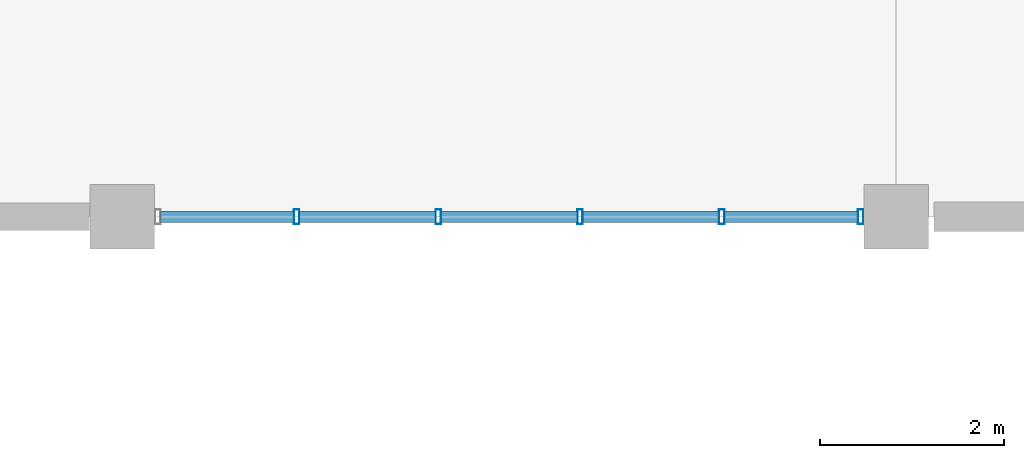
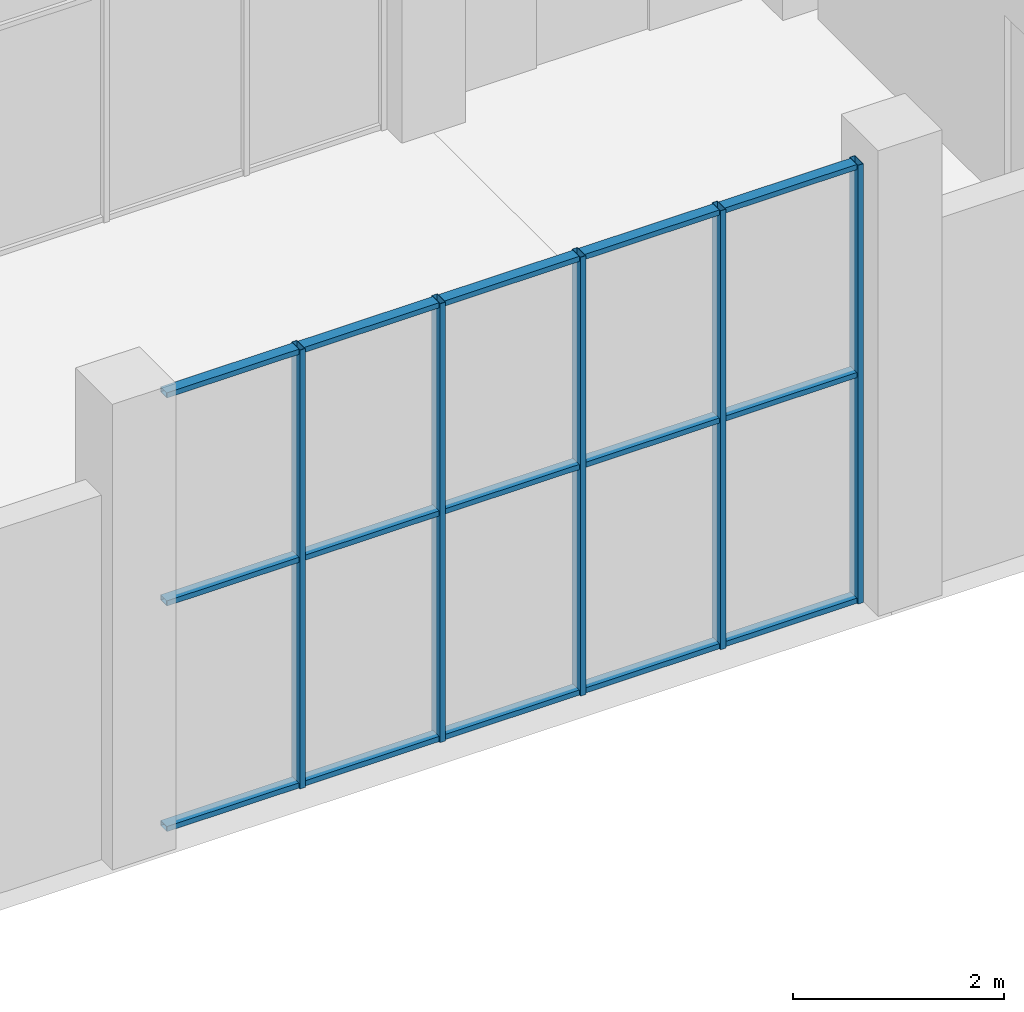
# One storey, part 27 of 91: 20 members, 1 element without a shape of its own.
"""IFC4 building model written with IfcOpenShell, lengths in metres."""

from ifc_helpers import new_model, si_unit, direction, frame, origin, origin_2d, place, context, subcontext, project, spatial, hollow_rectangle, extrude, material, material_profile, profile_set, type_object, element, aggregate, save


model = new_model("IFC4")

# Units and contexts
model_context = context("Model", 3, precision=1e-05, world=origin(), true_north=direction((0.0, 1.0)))
body_context = subcontext(model_context, "Body", "Model", "MODEL_VIEW")
ifc_project = project(units=[si_unit("LENGTHUNIT", "METRE"), si_unit("AREAUNIT", "SQUARE_METRE"), si_unit("VOLUMEUNIT", "CUBIC_METRE"), si_unit("PLANEANGLEUNIT", "RADIAN"), si_unit("MASSUNIT", "GRAM", prefix="KILO")], contexts=[model_context])

# Site, building, storey
site_placement = place(None, origin())
site = spatial("IfcSite", under=ifc_project, at=site_placement, CompositionType="ELEMENT")
building_placement = place(site_placement, origin())
building = spatial("IfcBuilding", under=site, at=building_placement, Name="Khurvash Pelagic Aquarium", CompositionType="ELEMENT")
storey_placement = place(building_placement, origin())
storey = spatial("IfcBuildingStorey", under=building, at=storey_placement, Name="L00", CompositionType="ELEMENT", Elevation=0.0)

# Curtain wall, members
ifc_material_1 = material(Name="Anodised aluminium and low-E laminated glass", Category="aluminium")
curtain_wall_type = type_object("IfcCurtainWallType", Name="CW-02", PredefinedType="USERDEFINED", material=ifc_material_1)
curtain_wall_placement = place(storey_placement, origin())
curtain_wall = element("IfcCurtainWall", 1, at=curtain_wall_placement, inside=storey, type_object=curtain_wall_type, Name="L00 Facade Unitised Curtain Wall CW-02 0060", ObjectType="UNITISED CURTAIN WALL", PredefinedType="USERDEFINED")
ifc_material_2 = material(Name="Extruded aluminium AW-6063-T6", Category="aluminium")
ifc_material_profile_1 = material_profile(ifc_material_2, hollow_rectangle(XDim=0.06005859375, YDim=0.159912109375, WallThickness=0.00390625, at=origin_2d()), Name="CWM60X160X4")
ifc_profile_set_1 = profile_set([ifc_material_profile_1], Name="Extruded aluminium AW-6063-T6")
member_type_1 = type_object("IfcMemberType", Name="CM-02", PredefinedType="MULLION", material=ifc_profile_set_1)
member_1_placement = place(storey_placement, frame((119.492919921875, 20.699951171875, 0.0), z_axis=(0.0, 0.0, 1.0), x_axis=(1.0, 0.0, 0.0)))
member_1 = element("IfcMember", 2, at=member_1_placement, type_object=member_type_1, Name="CW-02 mullion 2", PredefinedType="MULLION", context=body_context, shape_type="SweptSolid", body=[
    extrude(hollow_rectangle(XDim=0.06005859375, YDim=0.159912109375, WallThickness=0.00390625, at=origin_2d()), origin(), (0.0, 0.0, 1.0), 5.090087890625),
])
member_2_placement = place(storey_placement, frame((121.031005859375, 20.699951171875, 0.0), z_axis=(0.0, 0.0, 1.0), x_axis=(1.0, 0.0, 0.0)))
member_2 = element("IfcMember", 3, at=member_2_placement, type_object=member_type_1, Name="CW-02 mullion 3", PredefinedType="MULLION", context=body_context, shape_type="SweptSolid", body=[
    extrude(hollow_rectangle(XDim=0.06005859375, YDim=0.159912109375, WallThickness=0.00390625, at=origin_2d()), origin(), (0.0, 0.0, 1.0), 5.090087890625),
])
member_3_placement = place(storey_placement, frame((122.569091796875, 20.699951171875, 0.0), z_axis=(0.0, 0.0, 1.0), x_axis=(1.0, 0.0, 0.0)))
member_3 = element("IfcMember", 4, at=member_3_placement, type_object=member_type_1, Name="CW-02 mullion 4", PredefinedType="MULLION", context=body_context, shape_type="SweptSolid", body=[
    extrude(hollow_rectangle(XDim=0.06005859375, YDim=0.159912109375, WallThickness=0.00390625, at=origin_2d()), origin(), (0.0, 0.0, 1.0), 5.090087890625),
])
member_4_placement = place(storey_placement, frame((124.10693359375, 20.699951171875, 0.0), z_axis=(0.0, 0.0, 1.0), x_axis=(1.0, 0.0, 0.0)))
member_4 = element("IfcMember", 5, at=member_4_placement, type_object=member_type_1, Name="CW-02 mullion 5", PredefinedType="MULLION", context=body_context, shape_type="SweptSolid", body=[
    extrude(hollow_rectangle(XDim=0.06005859375, YDim=0.159912109375, WallThickness=0.00390625, at=origin_2d()), origin(), (0.0, 0.0, 1.0), 5.090087890625),
])
member_5_placement = place(storey_placement, frame((125.614990234375, 20.699951171875, 0.0), z_axis=(0.0, 0.0, 1.0), x_axis=(1.0, 0.0, 0.0)))
member_5 = element("IfcMember", 6, at=member_5_placement, type_object=member_type_1, Name="CW-02 mullion 6", PredefinedType="MULLION", context=body_context, shape_type="SweptSolid", body=[
    extrude(hollow_rectangle(XDim=0.06005859375, YDim=0.159912109375, WallThickness=0.00390625, at=origin_2d()), origin(), (0.0, 0.0, 1.0), 5.090087890625),
])
ifc_material_profile_2 = material_profile(ifc_material_2, hollow_rectangle(XDim=0.1201171875, YDim=0.06005859375, WallThickness=0.00390625, at=origin_2d()), Name="CWT120X60X4")
ifc_profile_set_2 = profile_set([ifc_material_profile_2], Name="Extruded aluminium AW-6063-T6")
member_type_2 = type_object("IfcMemberType", Name="CT-02", PredefinedType="USERDEFINED", material=ifc_profile_set_2)
member_6_placement = place(storey_placement, frame((118.014892578125, 20.699951171875, 0.030029296875), z_axis=(1.0, 0.0, 0.0), x_axis=(0.0, 1.0, 0.0)))
member_6 = element("IfcMember", 7, at=member_6_placement, type_object=member_type_2, Name="CW-02 transom 1.1", ObjectType="TRANSOM", PredefinedType="USERDEFINED", context=body_context, shape_type="SweptSolid", body=[
    extrude(hollow_rectangle(XDim=0.1201171875, YDim=0.06005859375, WallThickness=0.00390625, at=origin_2d()), origin(), (0.0, 0.0, 1.0), 1.447998046875),
])
member_7_placement = place(storey_placement, frame((118.014892578125, 20.699951171875, 2.64697265625), z_axis=(1.0, 0.0, 0.0), x_axis=(0.0, 1.0, 0.0)))
member_7 = element("IfcMember", 8, at=member_7_placement, type_object=member_type_2, Name="CW-02 transom 1.2", ObjectType="TRANSOM", PredefinedType="USERDEFINED", context=body_context, shape_type="SweptSolid", body=[
    extrude(hollow_rectangle(XDim=0.1201171875, YDim=0.06005859375, WallThickness=0.00390625, at=origin_2d()), origin(), (0.0, 0.0, 1.0), 1.447998046875),
])
member_8_placement = place(storey_placement, frame((118.014892578125, 20.699951171875, 5.06005859375), z_axis=(1.0, 0.0, 0.0), x_axis=(0.0, 1.0, 0.0)))
member_8 = element("IfcMember", 9, at=member_8_placement, type_object=member_type_2, Name="CW-02 transom 1.3", ObjectType="TRANSOM", PredefinedType="USERDEFINED", context=body_context, shape_type="SweptSolid", body=[
    extrude(hollow_rectangle(XDim=0.1201171875, YDim=0.06005859375, WallThickness=0.00390625, at=origin_2d()), origin(), (0.0, 0.0, 1.0), 1.447998046875),
])
member_9_placement = place(storey_placement, frame((119.52294921875, 20.699951171875, 0.030029296875), z_axis=(1.0, 0.0, 0.0), x_axis=(0.0, 1.0, 0.0)))
member_9 = element("IfcMember", 10, at=member_9_placement, type_object=member_type_2, Name="CW-02 transom 2.1", ObjectType="TRANSOM", PredefinedType="USERDEFINED", context=body_context, shape_type="SweptSolid", body=[
    extrude(hollow_rectangle(XDim=0.1201171875, YDim=0.06005859375, WallThickness=0.00390625, at=origin_2d()), origin(), (0.0, 0.0, 1.0), 1.47802734375),
])
member_10_placement = place(storey_placement, frame((119.52294921875, 20.699951171875, 2.64697265625), z_axis=(1.0, 0.0, 0.0), x_axis=(0.0, 1.0, 0.0)))
member_10 = element("IfcMember", 11, at=member_10_placement, type_object=member_type_2, Name="CW-02 transom 2.2", ObjectType="TRANSOM", PredefinedType="USERDEFINED", context=body_context, shape_type="SweptSolid", body=[
    extrude(hollow_rectangle(XDim=0.1201171875, YDim=0.06005859375, WallThickness=0.00390625, at=origin_2d()), origin(), (0.0, 0.0, 1.0), 1.47802734375),
])
member_11_placement = place(storey_placement, frame((119.52294921875, 20.699951171875, 5.06005859375), z_axis=(1.0, 0.0, 0.0), x_axis=(0.0, 1.0, 0.0)))
member_11 = element("IfcMember", 12, at=member_11_placement, type_object=member_type_2, Name="CW-02 transom 2.3", ObjectType="TRANSOM", PredefinedType="USERDEFINED", context=body_context, shape_type="SweptSolid", body=[
    extrude(hollow_rectangle(XDim=0.1201171875, YDim=0.06005859375, WallThickness=0.00390625, at=origin_2d()), origin(), (0.0, 0.0, 1.0), 1.47802734375),
])
member_12_placement = place(storey_placement, frame((121.06103515625, 20.699951171875, 0.030029296875), z_axis=(1.0, 0.0, 0.0), x_axis=(0.0, 1.0, 0.0)))
member_12 = element("IfcMember", 13, at=member_12_placement, type_object=member_type_2, Name="CW-02 transom 3.1", ObjectType="TRANSOM", PredefinedType="USERDEFINED", context=body_context, shape_type="SweptSolid", body=[
    extrude(hollow_rectangle(XDim=0.1201171875, YDim=0.06005859375, WallThickness=0.00390625, at=origin_2d()), origin(), (0.0, 0.0, 1.0), 1.47802734375),
])
member_13_placement = place(storey_placement, frame((121.06103515625, 20.699951171875, 2.64697265625), z_axis=(1.0, 0.0, 0.0), x_axis=(0.0, 1.0, 0.0)))
member_13 = element("IfcMember", 14, at=member_13_placement, type_object=member_type_2, Name="CW-02 transom 3.2", ObjectType="TRANSOM", PredefinedType="USERDEFINED", context=body_context, shape_type="SweptSolid", body=[
    extrude(hollow_rectangle(XDim=0.1201171875, YDim=0.06005859375, WallThickness=0.00390625, at=origin_2d()), origin(), (0.0, 0.0, 1.0), 1.47802734375),
])
member_14_placement = place(storey_placement, frame((121.06103515625, 20.699951171875, 5.06005859375), z_axis=(1.0, 0.0, 0.0), x_axis=(0.0, 1.0, 0.0)))
member_14 = element("IfcMember", 15, at=member_14_placement, type_object=member_type_2, Name="CW-02 transom 3.3", ObjectType="TRANSOM", PredefinedType="USERDEFINED", context=body_context, shape_type="SweptSolid", body=[
    extrude(hollow_rectangle(XDim=0.1201171875, YDim=0.06005859375, WallThickness=0.00390625, at=origin_2d()), origin(), (0.0, 0.0, 1.0), 1.47802734375),
])
member_15_placement = place(storey_placement, frame((122.59912109375, 20.699951171875, 0.030029296875), z_axis=(1.0, 0.0, 0.0), x_axis=(0.0, 1.0, 0.0)))
member_15 = element("IfcMember", 16, at=member_15_placement, type_object=member_type_2, Name="CW-02 transom 4.1", ObjectType="TRANSOM", PredefinedType="USERDEFINED", context=body_context, shape_type="SweptSolid", body=[
    extrude(hollow_rectangle(XDim=0.1201171875, YDim=0.06005859375, WallThickness=0.00390625, at=origin_2d()), origin(), (0.0, 0.0, 1.0), 1.477783203125),
])
member_16_placement = place(storey_placement, frame((122.59912109375, 20.699951171875, 2.64697265625), z_axis=(1.0, 0.0, 0.0), x_axis=(0.0, 1.0, 0.0)))
member_16 = element("IfcMember", 17, at=member_16_placement, type_object=member_type_2, Name="CW-02 transom 4.2", ObjectType="TRANSOM", PredefinedType="USERDEFINED", context=body_context, shape_type="SweptSolid", body=[
    extrude(hollow_rectangle(XDim=0.1201171875, YDim=0.06005859375, WallThickness=0.00390625, at=origin_2d()), origin(), (0.0, 0.0, 1.0), 1.477783203125),
])
member_17_placement = place(storey_placement, frame((122.59912109375, 20.699951171875, 5.06005859375), z_axis=(1.0, 0.0, 0.0), x_axis=(0.0, 1.0, 0.0)))
member_17 = element("IfcMember", 18, at=member_17_placement, type_object=member_type_2, Name="CW-02 transom 4.3", ObjectType="TRANSOM", PredefinedType="USERDEFINED", context=body_context, shape_type="SweptSolid", body=[
    extrude(hollow_rectangle(XDim=0.1201171875, YDim=0.06005859375, WallThickness=0.00390625, at=origin_2d()), origin(), (0.0, 0.0, 1.0), 1.477783203125),
])
member_18_placement = place(storey_placement, frame((124.136962890625, 20.699951171875, 0.030029296875), z_axis=(1.0, 0.0, 0.0), x_axis=(0.0, 1.0, 0.0)))
member_18 = element("IfcMember", 19, at=member_18_placement, type_object=member_type_2, Name="CW-02 transom 5.1", ObjectType="TRANSOM", PredefinedType="USERDEFINED", context=body_context, shape_type="SweptSolid", body=[
    extrude(hollow_rectangle(XDim=0.1201171875, YDim=0.06005859375, WallThickness=0.00390625, at=origin_2d()), origin(), (0.0, 0.0, 1.0), 1.447998046875),
])
member_19_placement = place(storey_placement, frame((124.136962890625, 20.699951171875, 2.64697265625), z_axis=(1.0, 0.0, 0.0), x_axis=(0.0, 1.0, 0.0)))
member_19 = element("IfcMember", 20, at=member_19_placement, type_object=member_type_2, Name="CW-02 transom 5.2", ObjectType="TRANSOM", PredefinedType="USERDEFINED", context=body_context, shape_type="SweptSolid", body=[
    extrude(hollow_rectangle(XDim=0.1201171875, YDim=0.06005859375, WallThickness=0.00390625, at=origin_2d()), origin(), (0.0, 0.0, 1.0), 1.447998046875),
])
member_20_placement = place(storey_placement, frame((124.136962890625, 20.699951171875, 5.06005859375), z_axis=(1.0, 0.0, 0.0), x_axis=(0.0, 1.0, 0.0)))
member_20 = element("IfcMember", 21, at=member_20_placement, type_object=member_type_2, Name="CW-02 transom 5.3", ObjectType="TRANSOM", PredefinedType="USERDEFINED", context=body_context, shape_type="SweptSolid", body=[
    extrude(hollow_rectangle(XDim=0.1201171875, YDim=0.06005859375, WallThickness=0.00390625, at=origin_2d()), origin(), (0.0, 0.0, 1.0), 1.447998046875),
])
aggregate(curtain_wall, [member_1, member_2, member_3, member_4, member_5, member_6, member_7, member_8, member_9, member_10, member_11, member_12, member_13, member_14, member_15, member_16, member_17, member_18, member_19, member_20])

save(model, "model.ifc")
